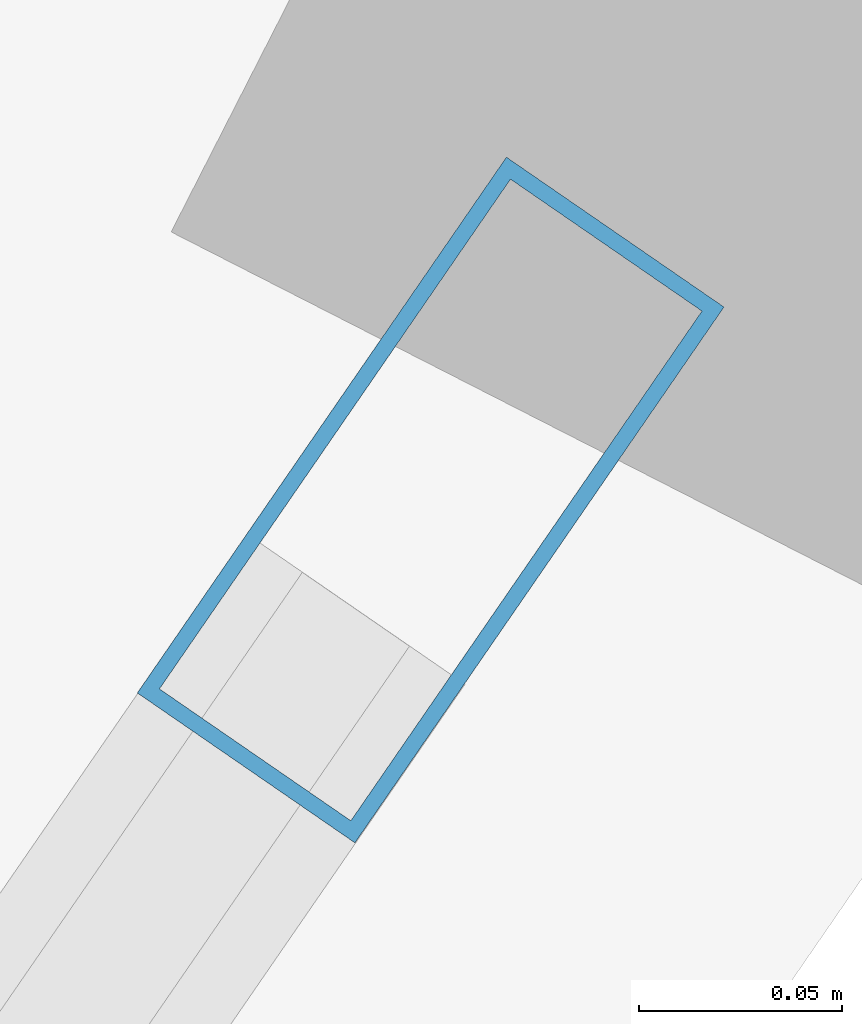
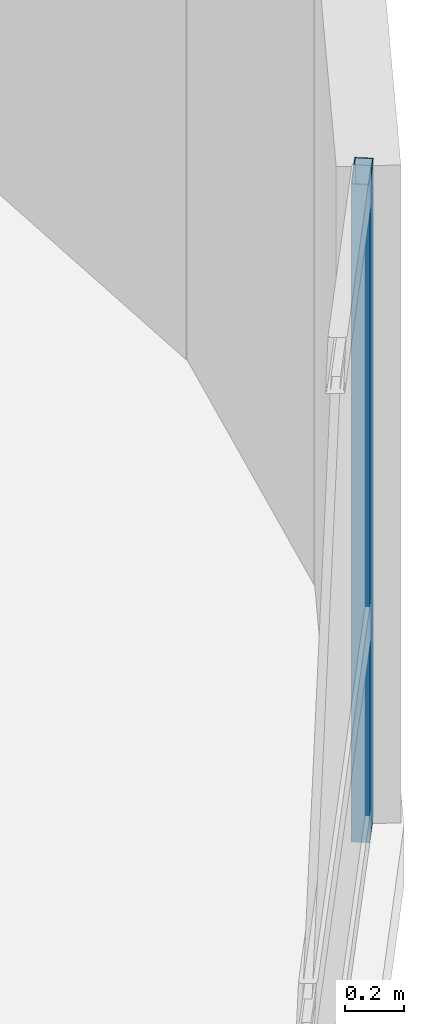
# One storey, part 11 of 25: 1 member, 1 element without a shape of its own.
"""IFC4 building model written with IfcOpenShell, lengths in metres."""

from ifc_helpers import new_model, si_unit, direction, frame, origin, origin_2d, place, context, subcontext, project, spatial, hollow_rectangle, extrude, material, layer, layer_set, material_profile, profile_set, type_object, element, aggregate, save


model = new_model("IFC4")

# Units and contexts
model_context = context("Model", 3, precision=1e-05, world=origin(), true_north=direction((0.0, 1.0)))
body_context = subcontext(model_context, "Body", "Model", "MODEL_VIEW")
ifc_project = project(units=[si_unit("LENGTHUNIT", "METRE"), si_unit("AREAUNIT", "SQUARE_METRE"), si_unit("VOLUMEUNIT", "CUBIC_METRE"), si_unit("PLANEANGLEUNIT", "RADIAN"), si_unit("MASSUNIT", "GRAM", prefix="KILO")], contexts=[model_context])

# Site, building, storey
site_placement = place(None, origin())
site = spatial("IfcSite", under=ifc_project, at=site_placement, CompositionType="ELEMENT")
building_placement = place(site_placement, origin())
building = spatial("IfcBuilding", under=site, at=building_placement, Name="Varnelok Gate Tower", CompositionType="ELEMENT")
storey_placement = place(building_placement, frame((0.0, 0.0, 64.0)))
storey = spatial("IfcBuildingStorey", under=building, at=storey_placement, Name="L15", CompositionType="ELEMENT", Elevation=64.0)

# Curtain wall, member
ifc_material = material(Name="Anodized Aluminum Alloy 6063-T6", Category="aluminium")
ifc_layer = layer(ifc_material, 0.179931640625)
ifc_layer_set = layer_set([ifc_layer], Name="Anodized Aluminum Alloy 6063-T6")
curtain_wall_type = type_object("IfcCurtainWallType", Name="CW3-HOTEL-VISION", PredefinedType="USERDEFINED", material=ifc_layer_set)
curtain_wall_placement = place(storey_placement, origin())
curtain_wall = element("IfcCurtainWall", 1, at=curtain_wall_placement, inside=storey, type_object=curtain_wall_type, Name="L15 East End Vision Curtain Wall", ObjectType="UNITISED CURTAIN WALL", PredefinedType="USERDEFINED")
ifc_material_profile = material_profile(ifc_material, hollow_rectangle(XDim=0.06494140625, YDim=0.159912109375, WallThickness=0.00390625, at=origin_2d()), Name="ALU160X65X4")
ifc_profile_set = profile_set([ifc_material_profile], Name="Anodized Aluminum Alloy 6063-T6")
member_type = type_object("IfcMemberType", Name="CW-MULL-160", PredefinedType="MULLION", material=ifc_profile_set)
member_placement = place(storey_placement, frame((82.52392578125, 19.33935546875, 0.0), z_axis=(0.0, 0.0, 1.0), x_axis=(0.823532685111, -0.567268822124, 0.0)))
member = element("IfcMember", 2, at=member_placement, type_object=member_type, Name="CW3 mullion 1", PredefinedType="MULLION", context=body_context, shape_type="SweptSolid", body=[
    extrude(hollow_rectangle(XDim=0.06494140625, YDim=0.159912109375, WallThickness=0.00390625, at=origin_2d()), origin(), (0.0, 0.0, 1.0), 2.72998046875),
])
aggregate(curtain_wall, [member])

save(model, "model.ifc")
